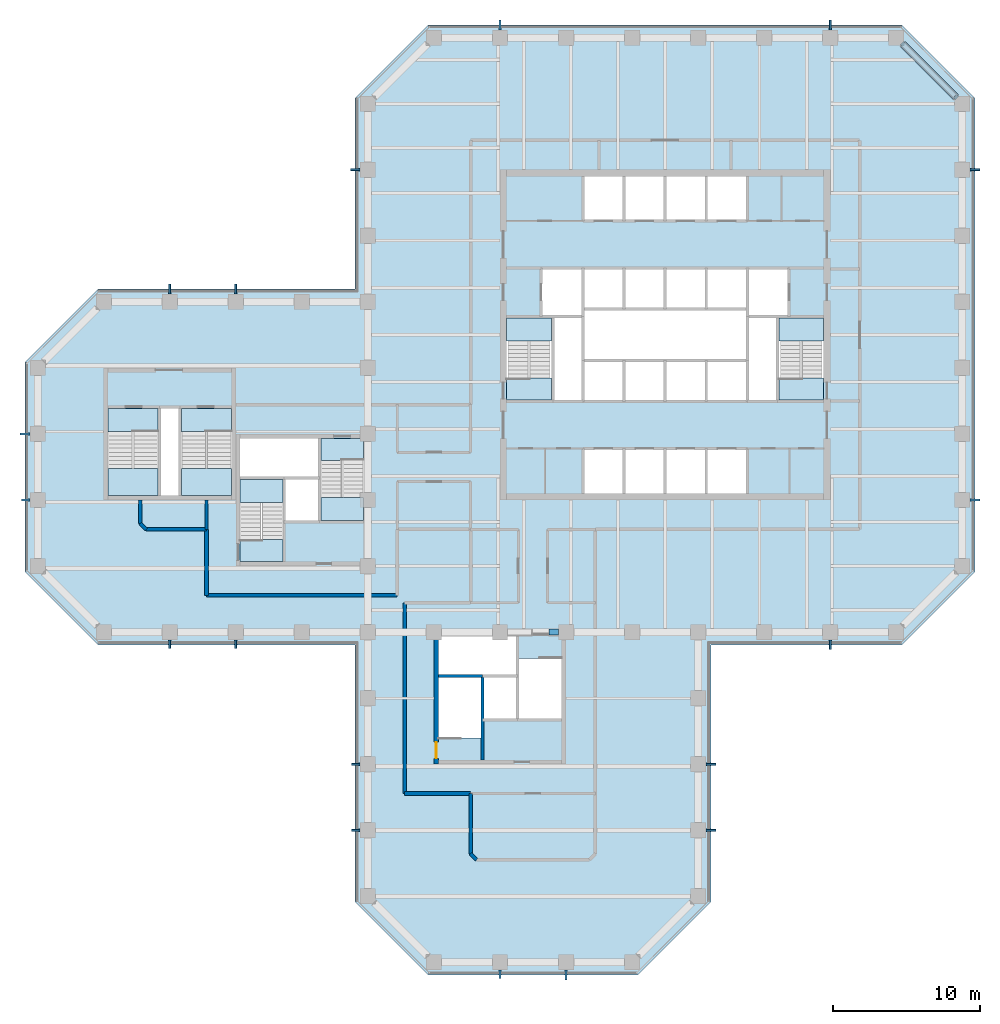
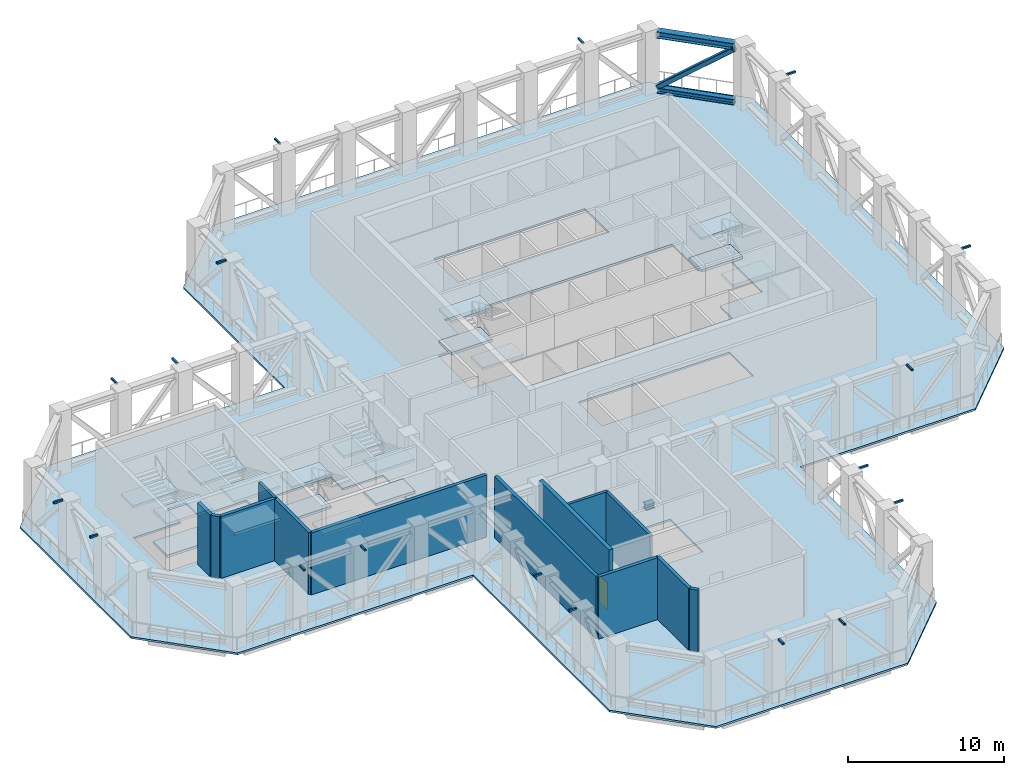
# One storey, part 4 of 14: 19 slabs, 18 beams, 13 walls, 4 members, 1 door, 1 opening, 6 elements without a shape of their own.
"""IFC4 building model written with IfcOpenShell, lengths in metres."""

import ifcopenshell
import ifcopenshell.guid

model = None  # the IFC model being written
_history = None  # IfcOwnerHistory: only IFC2X3 demands one
_inside = {}  # id of a spatial element -> (the spatial element, [elements in it])
_under = {}  # id of a project, library or spatial element -> (it, [spatial elements below it])
_declared = {}  # id of a project -> (the project, [libraries it declares])
_typed = {}  # id of a type object -> (the type object, [elements of that type])
_made_of = {}  # id of a material, layer set ... -> (it, [elements and type objects made of it])


def new_model(schema):
    """Start an empty IFC model of exactly this schema.

    Asked for "IFC4X3", IfcOpenShell would pick the latest addendum, in which some entities
    have other attributes; the version numbers below select the first issue.
    IFC2X3 requires an IfcOwnerHistory on every rooted entity: one is made here for all.
    """
    global model, _history
    if schema == "IFC4X3":
        model = ifcopenshell.file(schema_version=(4, 3, 0, 0))
    else:
        model = ifcopenshell.file(schema=schema)
    _inside.clear()
    _under.clear()
    _declared.clear()
    _typed.clear()
    _made_of.clear()
    _history = None
    if model.schema == "IFC2X3":
        org = make("IfcOrganization", Name="unknown")
        user = make(
            "IfcPersonAndOrganization",
            ThePerson=make("IfcPerson", FamilyName="unknown"),
            TheOrganization=org,
        )
        app = make(
            "IfcApplication",
            ApplicationDeveloper=org,
            Version="unknown",
            ApplicationFullName="unknown",
            ApplicationIdentifier="unknown",
        )
        _history = make(
            "IfcOwnerHistory",
            OwningUser=user,
            OwningApplication=app,
            ChangeAction="ADDED",
            CreationDate=0,
        )
    return model


def make(cls, **values):
    """One entity of the class cls with the attributes given. An attribute that is None is left unset."""
    return model.create_entity(
        cls, **{name: value for name, value in values.items() if value is not None}
    )


def rooted(cls, **values):
    """An entity with a GlobalId (a new one), such as an element, a storey or a relation."""
    return make(cls, GlobalId=ifcopenshell.guid.new(), OwnerHistory=_history, **values)


def si_unit(unit_type, name, prefix=None):
    """IfcSIUnit, for example si_unit("LENGTHUNIT", "METRE", prefix="MILLI")."""
    return make("IfcSIUnit", UnitType=unit_type, Prefix=prefix, Name=name)


def assignment(units):
    """IfcUnitAssignment: the units of a project."""
    return None if units is None else make("IfcUnitAssignment", Units=units)


def point(xyz):
    """IfcCartesianPoint."""
    return None if xyz is None else make("IfcCartesianPoint", Coordinates=xyz)


def direction(xyz):
    """IfcDirection."""
    return None if xyz is None else make("IfcDirection", DirectionRatios=xyz)


def frame(location, z_axis=None, x_axis=None):
    """IfcAxis2Placement3D, a coordinate frame: its origin and axes. An axis left out is left unset."""
    return make(
        "IfcAxis2Placement3D",
        Location=point(location),
        Axis=direction(z_axis),
        RefDirection=direction(x_axis),
    )


def frame_2d(location, x_axis=None):
    """IfcAxis2Placement2D, a coordinate frame in the plane: its origin and x axis."""
    return make(
        "IfcAxis2Placement2D", Location=point(location), RefDirection=direction(x_axis)
    )


def origin():
    """The frame at (0, 0, 0) with its axes left unset."""
    return frame((0.0, 0.0, 0.0))


def origin_2d():
    """The frame at (0, 0) in the plane with its x axis left unset."""
    return frame_2d((0.0, 0.0))


def place(relative_to, where):
    """IfcLocalPlacement: puts the frame where relative to a parent placement (None: the world)."""
    return make(
        "IfcLocalPlacement", PlacementRelTo=relative_to, RelativePlacement=where
    )


def context(
    kind, dimensions, precision=None, world=None, true_north=None, identifier=None
):
    """IfcGeometricRepresentationContext, for example the 3D "Model" context."""
    return make(
        "IfcGeometricRepresentationContext",
        ContextIdentifier=identifier,
        ContextType=kind,
        CoordinateSpaceDimension=dimensions,
        Precision=precision,
        WorldCoordinateSystem=world,
        TrueNorth=true_north,
    )


def subcontext(parent, identifier, kind, view, scale=None):
    """IfcGeometricRepresentationSubContext, for example "Body" below "Model"."""
    return make(
        "IfcGeometricRepresentationSubContext",
        ContextIdentifier=identifier,
        ContextType=kind,
        ParentContext=parent,
        TargetScale=scale,
        TargetView=view,
    )


def project(units=None, contexts=None):
    """IfcProject with its units and contexts."""
    return rooted(
        "IfcProject",
        Name="project",
        RepresentationContexts=contexts,
        UnitsInContext=assignment(units),
    )


def spatial(cls, under=None, at=None, **own):
    """A site, building, storey or space (cls), placed at a placement, below another one or the project."""
    s = rooted(cls, ObjectPlacement=at, **own)
    if under is not None:
        _under.setdefault(under.id(), (under, []))[1].append(s)
    return s


def polyline(points):
    """IfcPolyline through the points."""
    return make("IfcPolyline", Points=[point(p) for p in points])


def profile(cls, at=None, kind="AREA", **sizes):
    """A parametric profile (cls). Its sizes go by their IFC names, for example OverallWidth=200.0."""
    return make(cls, ProfileType=kind, Position=at, **sizes)


def rectangle(**sizes):
    """IfcRectangleProfileDef."""
    return profile("IfcRectangleProfileDef", **sizes)


def hollow_rectangle(**sizes):
    """IfcRectangleHollowProfileDef."""
    return profile("IfcRectangleHollowProfileDef", **sizes)


def i_section(**sizes):
    """IfcIShapeProfileDef."""
    return profile("IfcIShapeProfileDef", **sizes)


def outline(outer, holes=None, kind="AREA"):
    """IfcArbitraryClosedProfileDef: a profile drawn as a closed curve; with holes, ...WithVoids."""
    if holes is None:
        return make("IfcArbitraryClosedProfileDef", ProfileType=kind, OuterCurve=outer)
    return make(
        "IfcArbitraryProfileDefWithVoids",
        ProfileType=kind,
        OuterCurve=outer,
        InnerCurves=holes,
    )


def extrude(swept, where, along, depth):
    """IfcExtrudedAreaSolid: the profile swept, set in the frame where, extruded along a direction by depth."""
    return make(
        "IfcExtrudedAreaSolid",
        SweptArea=swept,
        Position=where,
        ExtrudedDirection=direction(along),
        Depth=depth,
    )


def shape(context_of_items, identifier, shape_type, items):
    """IfcShapeRepresentation: the items that make up one representation, for example the "Body"."""
    return make(
        "IfcShapeRepresentation",
        ContextOfItems=context_of_items,
        RepresentationIdentifier=identifier,
        RepresentationType=shape_type,
        Items=items,
    )


def material(Name=None, Category=None):
    """IfcMaterial."""
    return make("IfcMaterial", Name=Name, Category=Category)


def layer(
    of_material, thickness, ventilated=None, Name=None, Category=None, Priority=None
):
    """IfcMaterialLayer: one layer of a wall or slab, of a material (None: an air gap)."""
    return make(
        "IfcMaterialLayer",
        Material=of_material,
        LayerThickness=thickness,
        IsVentilated=ventilated,
        Name=Name,
        Category=Category,
        Priority=Priority,
    )


def layer_set(layers, Name=None):
    """IfcMaterialLayerSet."""
    return make("IfcMaterialLayerSet", MaterialLayers=layers, LayerSetName=Name)


def material_profile(
    of_material, cross_section, Name=None, Category=None, Priority=None
):
    """IfcMaterialProfile: a cross section and its material."""
    return make(
        "IfcMaterialProfile",
        Name=Name,
        Material=of_material,
        Profile=cross_section,
        Priority=Priority,
        Category=Category,
    )


def profile_set(profiles, Name=None, composite=None):
    """IfcMaterialProfileSet."""
    return make(
        "IfcMaterialProfileSet",
        Name=Name,
        MaterialProfiles=profiles,
        CompositeProfile=composite,
    )


def made_of(thing, what):
    """Note that an element or type object is made of a material, layer set ...; save() writes the relation."""
    if what is not None:
        _made_of.setdefault(what.id(), (what, []))[1].append(thing)
    return thing


def type_object(cls, material=None, **own):
    """A type object (cls), such as IfcWallType, which elements share."""
    return made_of(rooted(cls, **own), material)


def element(
    cls,
    number,
    at=None,
    inside=None,
    cuts=None,
    type_object=None,
    material=None,
    context=None,
    identifier="Body",
    shape_type=None,
    held_by="IfcProductDefinitionShape",
    body=None,
    shapes=None,
    **own,
):
    """One element of the class cls, such as IfcWall. Its Tag is "e" and its number.

    at: its placement. inside: the storey or other place that contains it. cuts: it is an
    opening in that element (IfcRelVoidsElement). A single representation is given by context,
    identifier, shape_type and body (its items); several are given by shapes. held_by: the class
    of the entity that holds the representations. save() writes the other relations.
    """
    e = rooted(cls, Tag="e%d" % number, ObjectPlacement=at, **own)
    if body is not None:
        shapes = [shape(context, identifier, shape_type, body)]
    if shapes is not None:
        e.Representation = make(held_by, Representations=shapes)
    if inside is not None:
        _inside.setdefault(inside.id(), (inside, []))[1].append(e)
    if cuts is not None:
        rooted(
            "IfcRelVoidsElement", RelatingBuildingElement=cuts, RelatedOpeningElement=e
        )
    if type_object is not None:
        _typed.setdefault(type_object.id(), (type_object, []))[1].append(e)
    return made_of(e, material)


def fill(opening, filler):
    """IfcRelFillsElement: the door or window that sits in an opening."""
    return rooted(
        "IfcRelFillsElement",
        RelatingOpeningElement=opening,
        RelatedBuildingElement=filler,
    )


def aggregate(whole, parts):
    """IfcRelAggregates: a whole, such as a stair, and the parts it consists of."""
    return rooted("IfcRelAggregates", RelatingObject=whole, RelatedObjects=parts)


def save(model, path):
    """Write the relations noted so far, then the file.

    IfcRelAggregates (storeys below a building ...), IfcRelContainedInSpatialStructure (elements
    in a storey), IfcRelDefinesByType, IfcRelAssociatesMaterial and IfcRelDeclares: one each for
    every whole, place, type object, material and project.
    """
    for whole, parts in _under.values():
        aggregate(whole, parts)
    for where, things in _inside.values():
        rooted(
            "IfcRelContainedInSpatialStructure",
            RelatedElements=things,
            RelatingStructure=where,
        )
    for kind, things in _typed.values():
        rooted("IfcRelDefinesByType", RelatedObjects=things, RelatingType=kind)
    for what, things in _made_of.values():
        rooted("IfcRelAssociatesMaterial", RelatedObjects=things, RelatingMaterial=what)
    for by, libraries in _declared.values():
        rooted("IfcRelDeclares", RelatingContext=by, RelatedDefinitions=libraries)
    model.write(path)


model = new_model("IFC4")

# Units and contexts
model_context = context("Model", 3, precision=1e-05, world=origin(), true_north=direction((0.0, 1.0)))
body_context = subcontext(model_context, "Body", "Model", "MODEL_VIEW")
ifc_project = project(units=[si_unit("LENGTHUNIT", "METRE"), si_unit("AREAUNIT", "SQUARE_METRE"), si_unit("VOLUMEUNIT", "CUBIC_METRE"), si_unit("PLANEANGLEUNIT", "RADIAN"), si_unit("MASSUNIT", "GRAM", prefix="KILO")], contexts=[model_context])

# Site, building, storey
site_placement = place(None, origin())
site = spatial("IfcSite", under=ifc_project, at=site_placement, CompositionType="ELEMENT")
building_placement = place(site_placement, origin())
building = spatial("IfcBuilding", under=site, at=building_placement, Name="Quoin Convention Tower", CompositionType="ELEMENT")
storey_placement = place(building_placement, frame((0.0, 0.0, 138.10009765625)))
storey = spatial("IfcBuildingStorey", under=building, at=storey_placement, Name="L36", CompositionType="ELEMENT", Elevation=138.10009765625)

# Beams
ifc_material_1 = material(Name="Steel C450L0", Category="steel")
ifc_material_profile_1 = material_profile(ifc_material_1, hollow_rectangle(XDim=0.14990234375, YDim=0.14990234375, WallThickness=0.008056640625, InnerFilletRadius=0.011962890625, OuterFilletRadius=0.02001953125, at=origin_2d()), Name="150x150x8.0SHS")
ifc_profile_set_1 = profile_set([ifc_material_profile_1], Name="Steel C450L0")
beam_type = type_object("IfcBeamType", Name="150x150x8.0SHS", PredefinedType="BEAM", material=ifc_profile_set_1)
beam_1_placement = place(storey_placement, frame((12.97509765625, 54.0, 4.9248046875), z_axis=(-1.0, 0.0, 0.0), x_axis=(0.0, -1.0, 0.0)))
element("IfcBeam", 1, at=beam_1_placement, inside=storey, type_object=beam_type, Name="brk-hi-L33-13500_58500-13500_54000", PredefinedType="BEAM", context=body_context, shape_type="SweptSolid", body=[
    extrude(hollow_rectangle(XDim=0.14990234375, YDim=0.14990234375, WallThickness=0.008056640625, InnerFilletRadius=0.011962890625, OuterFilletRadius=0.02001953125, at=origin_2d()), origin(), (0.0, 0.0, 1.0), 0.675048828125),
])
for number, where, z_axis, x_axis, name in (
    (2, (12.97509765625, 49.5, 4.9248046875), (-1.0, 0.0, 0.0), (0.0, -1.0, 0.0), "brk-hi-L33-13500_49500-13500_45000"),
    (3, (22.5, 39.97509765625, 4.9248046875), (0.0, -1.0, 0.0), (1.0, 0.0, 0.0), "brk-hi-L33-18000_40500-22500_40500"),
    (4, (27.0, 39.97509765625, 4.9248046875), (0.0, -1.0, 0.0), (1.0, 0.0, 0.0), "brk-hi-L33-27000_40500-31500_40500"),
    (5, (35.47509765625, 31.5, 4.9248046875), (-1.0, 0.0, 0.0), (0.0, -1.0, 0.0), "brk-hi-L33-36000_36000-36000_31500"),
    (6, (35.47509765625, 27.0, 4.9248046875), (-1.0, 0.0, 0.0), (0.0, -1.0, 0.0), "brk-hi-L33-36000_27000-36000_22500"),
):
    element("IfcBeam", number, at=place(storey_placement, frame(where, z_axis=z_axis, x_axis=x_axis)), inside=storey, type_object=beam_type, Name=name, PredefinedType="BEAM", context=body_context, shape_type="SweptSolid", body=[
        extrude(hollow_rectangle(XDim=0.14990234375, YDim=0.14990234375, WallThickness=0.008056640625, InnerFilletRadius=0.011962890625, OuterFilletRadius=0.02001953125, at=origin_2d()), origin(), (0.0, 0.0, 1.0), 0.5751953125),
    ])
for number, where, z_axis, x_axis, name in (
    (7, (27.0, 63.52490234375, 4.9248046875), (0.0, 1.0, 0.0), (-1.0, 0.0, 0.0), "brk-hi-L33-31500_63000-27000_63000"),
    (8, (22.5, 63.52490234375, 4.9248046875), (0.0, 1.0, 0.0), (-1.0, 0.0, 0.0), "brk-hi-L33-22500_63000-18000_63000"),
    (9, (35.47509765625, 72.0, 4.9248046875), (-1.0, 0.0, 0.0), (0.0, -1.0, 0.0), "brk-hi-L33-36000_76500-36000_72000"),
):
    element("IfcBeam", number, at=place(storey_placement, frame(where, z_axis=z_axis, x_axis=x_axis)), inside=storey, type_object=beam_type, Name=name, PredefinedType="BEAM", context=body_context, shape_type="SweptSolid", body=[
        extrude(hollow_rectangle(XDim=0.14990234375, YDim=0.14990234375, WallThickness=0.008056640625, InnerFilletRadius=0.011962890625, OuterFilletRadius=0.02001953125, at=origin_2d()), origin(), (0.0, 0.0, 1.0), 0.675048828125),
    ])
beam_2_placement = place(storey_placement, frame((45.0, 17.47509765625, 4.9248046875), z_axis=(0.0, -1.0, 0.0), x_axis=(1.0, 0.0, 0.0)))
element("IfcBeam", 10, at=beam_2_placement, inside=storey, type_object=beam_type, Name="brk-hi-L33-40500_18000-45000_18000", PredefinedType="BEAM", context=body_context, shape_type="SweptSolid", body=[
    extrude(hollow_rectangle(XDim=0.14990234375, YDim=0.14990234375, WallThickness=0.008056640625, InnerFilletRadius=0.011962890625, OuterFilletRadius=0.02001953125, at=origin_2d()), origin(), (0.0, 0.0, 1.0), 0.5751953125),
])
for number, where, z_axis, x_axis, name in (
    (11, (49.5, 17.47509765625, 4.9248046875), (0.0, -1.0, 0.0), (1.0, 0.0, 0.0), "brk-hi-L33-49500_18000-54000_18000"),
    (12, (59.02490234375, 27.0, 4.9248046875), (1.0, 0.0, 0.0), (0.0, 1.0, 0.0), "brk-hi-L33-58500_22500-58500_27000"),
    (13, (59.02490234375, 31.5, 4.9248046875), (1.0, 0.0, 0.0), (0.0, 1.0, 0.0), "brk-hi-L33-58500_31500-58500_36000"),
    (14, (67.5, 39.97509765625, 4.9248046875), (0.0, -1.0, 0.0), (1.0, 0.0, 0.0), "brk-hi-L33-63000_40500-67500_40500"),
    (15, (67.5, 81.52490234375, 4.9248046875), (0.0, 1.0, 0.0), (-1.0, 0.0, 0.0), "brk-hi-L33-72000_81000-67500_81000"),
    (16, (45.0, 81.52490234375, 4.9248046875), (0.0, 1.0, 0.0), (-1.0, 0.0, 0.0), "brk-hi-L33-45000_81000-40500_81000"),
    (17, (77.02490234375, 49.5, 4.9248046875), (1.0, 0.0, 0.0), (0.0, 1.0, 0.0), "brk-hi-L33-76500_45000-76500_49500"),
    (18, (77.02490234375, 72.0, 4.9248046875), (1.0, 0.0, 0.0), (0.0, 1.0, 0.0), "brk-hi-L33-76500_72000-76500_76500"),
):
    element("IfcBeam", number, at=place(storey_placement, frame(where, z_axis=z_axis, x_axis=x_axis)), inside=storey, type_object=beam_type, Name=name, PredefinedType="BEAM", context=body_context, shape_type="SweptSolid", body=[
        extrude(hollow_rectangle(XDim=0.14990234375, YDim=0.14990234375, WallThickness=0.008056640625, InnerFilletRadius=0.011962890625, OuterFilletRadius=0.02001953125, at=origin_2d()), origin(), (0.0, 0.0, 1.0), 0.675048828125),
    ])

# Members
ifc_material_profile_2 = material_profile(ifc_material_1, hollow_rectangle(XDim=0.35009765625, YDim=0.35009765625, WallThickness=0.01611328125, InnerFilletRadius=0.02392578125, OuterFilletRadius=0.0400390625, at=origin_2d()), Name="350x350x16.0SHS")
ifc_profile_set_2 = profile_set([ifc_material_profile_2], Name="Steel C450L0")
member_type_1 = type_object("IfcMemberType", Name="350x350x16.0SHS", PredefinedType="BRACE", material=ifc_profile_set_2)
member_1_placement = place(storey_placement, frame((72.440185546875, 80.559814453125, 0.421875), z_axis=(0.561717629009, -0.561717629009, 0.607409755043), x_axis=(0.707106781187, 0.707106781187, 0.0)))
element("IfcMember", 19, at=member_1_placement, inside=storey, type_object=member_type_1, Name="Belt truss L36 diagonal 76500_76500-72000_81000", PredefinedType="BRACE", context=body_context, shape_type="SweptSolid", body=[
    extrude(hollow_rectangle(XDim=0.35009765625, YDim=0.35009765625, WallThickness=0.01611328125, InnerFilletRadius=0.02392578125, OuterFilletRadius=0.0400390625, at=origin_2d()), origin(), (0.0, 0.0, 1.0), 6.44384765625),
])
ifc_material_2 = material(Name="Steel Grade 300", Category="steel")
ifc_material_profile_3 = material_profile(ifc_material_2, i_section(OverallWidth=0.39990234375, OverallDepth=0.422119140625, WebThickness=0.028076171875, FlangeThickness=0.035888671875, at=origin_2d()), Name="400WC303")
ifc_profile_set_3 = profile_set([ifc_material_profile_3], Name="Steel Grade 300")
member_type_2 = type_object("IfcMemberType", Name="400WC303", PredefinedType="CHORD", material=ifc_profile_set_3)
member_2_placement = place(storey_placement, frame((76.059814453125, 76.940185546875, 0.2109375), z_axis=(-0.707106781187, 0.707106781187, 0.0), x_axis=(-0.707106781187, -0.707106781187, 0.0)))
element("IfcMember", 20, at=member_2_placement, inside=storey, type_object=member_type_2, Name="Belt truss L36 bottom chord 76500_76500-72000_81000", PredefinedType="CHORD", context=body_context, shape_type="SweptSolid", body=[
    extrude(i_section(OverallWidth=0.39990234375, OverallDepth=0.422119140625, WebThickness=0.028076171875, FlangeThickness=0.035888671875, at=origin_2d()), origin(), (0.0, 0.0, 1.0), 5.118896484375),
])
member_3_placement = place(storey_placement, frame((48.35009765625, 40.5, 0.2109375), z_axis=(1.0, 0.0, 0.0), x_axis=(0.0, 1.0, 0.0)))
element("IfcMember", 21, at=member_3_placement, inside=storey, type_object=member_type_2, Name="Belt truss L36 bottom chord 45000_40500-49500_40500", PredefinedType="CHORD", context=body_context, shape_type="SweptSolid", body=[
    extrude(i_section(OverallWidth=0.39990234375, OverallDepth=0.422119140625, WebThickness=0.028076171875, FlangeThickness=0.035888671875, at=origin_2d()), origin(), (0.0, 0.0, 1.0), 0.625),
])
ifc_material_profile_4 = material_profile(ifc_material_2, i_section(OverallWidth=0.5, OverallDepth=0.513916015625, WebThickness=0.02490234375, FlangeThickness=0.031982421875, at=origin_2d()), Name="500WC340")
ifc_profile_set_4 = profile_set([ifc_material_profile_4], Name="Steel Grade 300")
member_type_3 = type_object("IfcMemberType", Name="500WC340", PredefinedType="CHORD", material=ifc_profile_set_4)
member_4_placement = place(storey_placement, frame((76.059814453125, 76.940185546875, 4.593017578125), z_axis=(-0.707106781187, 0.707106781187, 0.0), x_axis=(-0.707106781187, -0.707106781187, 0.0)))
element("IfcMember", 22, at=member_4_placement, inside=storey, type_object=member_type_3, Name="Belt truss L36 top chord 76500_76500-72000_81000", PredefinedType="CHORD", context=body_context, shape_type="SweptSolid", body=[
    extrude(i_section(OverallWidth=0.5, OverallDepth=0.513916015625, WebThickness=0.02490234375, FlangeThickness=0.031982421875, at=origin_2d()), origin(), (0.0, 0.0, 1.0), 5.118896484375),
])

# Slab
ifc_material_3 = material(Name="Concrete C40", Category="concrete")
ifc_layer_1 = layer(ifc_material_3, 0.14990234375)
ifc_layer_set_1 = layer_set([ifc_layer_1], Name="Concrete C40")
slab_type_1 = type_object("IfcSlabType", Name="COMPOSITE SLAB 150 C40", PredefinedType="FLOOR", material=ifc_layer_set_1)
slab_1_placement = place(storey_placement, frame((0.0, 0.0, -0.150146484375)))
element("IfcSlab", 23, at=slab_1_placement, inside=storey, type_object=slab_type_1, Name="slb-L36", PredefinedType="FLOOR", context=body_context, shape_type="SweptSolid", body=[
    extrude(outline(polyline([(59.375, 22.1376953125), (54.3623046875, 17.125), (40.1376953125, 17.125), (35.125, 22.1376953125), (35.125, 39.625), (17.6376953125, 39.625), (12.625, 44.6376953125), (12.625, 58.8623046875), (17.6376953125, 63.875), (35.125, 63.875), (35.125, 76.8623046875), (40.1376953125, 81.875), (72.3623046875, 81.875), (77.375, 76.8623046875), (77.375, 44.6376953125), (72.3623046875, 39.625), (59.375, 39.625), (59.375, 22.1376953125)]), holes=[polyline([(40.800048828125, 40.199951171875), (40.800048828125, 37.5), (40.800048828125, 33.300537109375), (43.800048828125, 33.300537109375), (43.800048828125, 34.5), (46.199951171875, 34.5), (49.199951171875, 34.5), (49.199951171875, 38.699462890625), (46.199951171875, 38.699462890625), (46.199951171875, 40.199951171875), (40.800048828125, 40.199951171875)]), polyline([(35.699951171875, 52.199462890625), (32.699951171875, 52.199462890625), (32.699951171875, 53.699951171875), (27.300048828125, 53.699951171875), (27.300048828125, 51.0), (27.300048828125, 46.800537109375), (30.300048828125, 46.800537109375), (30.300048828125, 48.0), (32.699951171875, 48.0), (35.699951171875, 48.0), (35.699951171875, 52.199462890625)]), polyline([(53.449951171875, 49.949951171875), (56.25, 49.949951171875), (59.050048828125, 49.949951171875), (61.85009765625, 49.949951171875), (61.85009765625, 53.0), (59.050048828125, 53.0), (56.25, 53.0), (53.449951171875, 53.0), (50.64990234375, 53.0), (50.64990234375, 49.949951171875), (53.449951171875, 49.949951171875)]), polyline([(21.800048828125, 55.85009765625), (21.800048828125, 54.1494140625), (18.300048828125, 54.1494140625), (18.300048828125, 49.800048828125), (21.800048828125, 49.800048828125), (23.199951171875, 49.800048828125), (26.699951171875, 49.800048828125), (26.699951171875, 54.1494140625), (23.199951171875, 54.1494140625), (23.199951171875, 55.85009765625), (21.800048828125, 55.85009765625)]), polyline([(48.60009765625, 57.800537109375), (48.60009765625, 56.199951171875), (50.64990234375, 56.199951171875), (53.449951171875, 56.199951171875), (56.25, 56.199951171875), (59.050048828125, 56.199951171875), (61.85009765625, 56.199951171875), (63.89990234375, 56.199951171875), (63.89990234375, 57.800537109375), (67.050048828125, 57.800537109375), (67.050048828125, 62.0), (64.699951171875, 62.0), (64.699951171875, 65.300048828125), (61.85009765625, 65.300048828125), (59.050048828125, 65.300048828125), (56.25, 65.300048828125), (53.449951171875, 65.300048828125), (50.64990234375, 65.300048828125), (47.800048828125, 65.300048828125), (47.800048828125, 62.0), (45.449951171875, 62.0), (45.449951171875, 57.800537109375), (48.60009765625, 57.800537109375)]), polyline([(50.64990234375, 68.5), (53.449951171875, 68.5), (56.25, 68.5), (59.050048828125, 68.5), (61.85009765625, 68.5), (61.85009765625, 71.550048828125), (59.050048828125, 71.550048828125), (56.25, 71.550048828125), (53.449951171875, 71.550048828125), (50.64990234375, 71.550048828125), (50.64990234375, 68.5)])]), origin(), (0.0, 0.0, 1.0), 0.150146484375),
])

# Stair, slabs
stair_type_1 = type_object("IfcStairType", Name="Exit stair four-flight 1350", PredefinedType="DOUBLE_RETURN_STAIR", material=ifc_material_3)
stair_1_placement = place(storey_placement, origin())
stair_1 = element("IfcStair", 24, at=stair_1_placement, inside=storey, type_object=stair_type_1, Name="SD1 L36", PredefinedType="DOUBLE_RETURN_STAIR")
ifc_layer_2 = layer(ifc_material_3, 0.199951171875)
ifc_layer_set_2 = layer_set([ifc_layer_2], Name="Concrete C40")
slab_type_2 = type_object("IfcSlabType", Name="Stair landing 200", PredefinedType="LANDING", material=ifc_layer_set_2)
slab_2_placement = place(storey_placement, frame((0.0, 0.0, 1.0498046875)))
slab_2 = element("IfcSlab", 25, at=slab_2_placement, type_object=slab_type_2, Name="ST1 landing 1", PredefinedType="LANDING", context=body_context, shape_type="SweptSolid", body=[
    extrude(outline(polyline([(45.449951171875, 60.320068359375), (48.5, 60.320068359375), (48.5, 61.89990234375), (45.449951171875, 61.89990234375), (45.449951171875, 60.320068359375)])), origin(), (0.0, 0.0, 1.0), 0.2001953125),
])
slab_3_placement = place(storey_placement, frame((0.0, 0.0, 2.2998046875)))
slab_3 = element("IfcSlab", 26, at=slab_3_placement, type_object=slab_type_2, Name="ST1 landing 2", PredefinedType="LANDING", context=body_context, shape_type="SweptSolid", body=[
    extrude(outline(polyline([(45.449951171875, 56.300048828125), (48.5, 56.300048828125), (48.5, 57.800048828125), (45.449951171875, 57.800048828125), (45.449951171875, 56.300048828125)])), origin(), (0.0, 0.0, 1.0), 0.2001953125),
])
slab_4_placement = place(storey_placement, frame((0.0, 0.0, 3.5498046875)))
slab_4 = element("IfcSlab", 27, at=slab_4_placement, type_object=slab_type_2, Name="ST1 landing 3", PredefinedType="LANDING", context=body_context, shape_type="SweptSolid", body=[
    extrude(outline(polyline([(45.449951171875, 60.320068359375), (48.5, 60.320068359375), (48.5, 61.89990234375), (45.449951171875, 61.89990234375), (45.449951171875, 60.320068359375)])), origin(), (0.0, 0.0, 1.0), 0.2001953125),
])
aggregate(stair_1, [slab_2, slab_3, slab_4])

stair_2_placement = place(storey_placement, origin())
stair_2 = element("IfcStair", 28, at=stair_2_placement, inside=storey, type_object=stair_type_1, Name="SD2 L36", PredefinedType="DOUBLE_RETURN_STAIR")
slab_5_placement = place(storey_placement, frame((0.0, 0.0, 1.0498046875)))
slab_5 = element("IfcSlab", 29, at=slab_5_placement, type_object=slab_type_2, Name="ST2 landing 1", PredefinedType="LANDING", context=body_context, shape_type="SweptSolid", body=[
    extrude(outline(polyline([(64.0, 60.320068359375), (67.050048828125, 60.320068359375), (67.050048828125, 61.89990234375), (64.0, 61.89990234375), (64.0, 60.320068359375)])), origin(), (0.0, 0.0, 1.0), 0.2001953125),
])
slab_6_placement = place(storey_placement, frame((0.0, 0.0, 2.2998046875)))
slab_6 = element("IfcSlab", 30, at=slab_6_placement, type_object=slab_type_2, Name="ST2 landing 2", PredefinedType="LANDING", context=body_context, shape_type="SweptSolid", body=[
    extrude(outline(polyline([(64.0, 56.300048828125), (67.050048828125, 56.300048828125), (67.050048828125, 57.800048828125), (64.0, 57.800048828125), (64.0, 56.300048828125)])), origin(), (0.0, 0.0, 1.0), 0.2001953125),
])
slab_7_placement = place(storey_placement, frame((0.0, 0.0, 3.5498046875)))
slab_7 = element("IfcSlab", 31, at=slab_7_placement, type_object=slab_type_2, Name="ST2 landing 3", PredefinedType="LANDING", context=body_context, shape_type="SweptSolid", body=[
    extrude(outline(polyline([(64.0, 60.320068359375), (67.050048828125, 60.320068359375), (67.050048828125, 61.89990234375), (64.0, 61.89990234375), (64.0, 60.320068359375)])), origin(), (0.0, 0.0, 1.0), 0.2001953125),
])
aggregate(stair_2, [slab_5, slab_6, slab_7])

stair_3_placement = place(storey_placement, origin())
stair_3 = element("IfcStair", 32, at=stair_3_placement, inside=storey, type_object=stair_type_1, Name="SD3 L36", PredefinedType="DOUBLE_RETURN_STAIR")
slab_8_placement = place(storey_placement, frame((0.0, 0.0, 1.0498046875)))
slab_8 = element("IfcSlab", 33, at=slab_8_placement, type_object=slab_type_2, Name="ST3 landing 1", PredefinedType="LANDING", context=body_context, shape_type="SweptSolid", body=[
    extrude(outline(polyline([(27.300048828125, 49.320068359375), (30.199951171875, 49.320068359375), (30.199951171875, 50.89990234375), (27.300048828125, 50.89990234375), (27.300048828125, 49.320068359375)])), origin(), (0.0, 0.0, 1.0), 0.2001953125),
])
slab_9_placement = place(storey_placement, frame((0.0, 0.0, 2.2998046875)))
slab_9 = element("IfcSlab", 34, at=slab_9_placement, type_object=slab_type_2, Name="ST3 landing 2", PredefinedType="LANDING", context=body_context, shape_type="SweptSolid", body=[
    extrude(outline(polyline([(27.300048828125, 45.300048828125), (30.199951171875, 45.300048828125), (30.199951171875, 46.800048828125), (27.300048828125, 46.800048828125), (27.300048828125, 45.300048828125)])), origin(), (0.0, 0.0, 1.0), 0.2001953125),
])
slab_10_placement = place(storey_placement, frame((0.0, 0.0, 3.5498046875)))
slab_10 = element("IfcSlab", 35, at=slab_10_placement, type_object=slab_type_2, Name="ST3 landing 3", PredefinedType="LANDING", context=body_context, shape_type="SweptSolid", body=[
    extrude(outline(polyline([(27.300048828125, 49.320068359375), (30.199951171875, 49.320068359375), (30.199951171875, 50.89990234375), (27.300048828125, 50.89990234375), (27.300048828125, 49.320068359375)])), origin(), (0.0, 0.0, 1.0), 0.2001953125),
])
aggregate(stair_3, [slab_8, slab_9, slab_10])

stair_4_placement = place(storey_placement, origin())
stair_4 = element("IfcStair", 36, at=stair_4_placement, inside=storey, type_object=stair_type_1, Name="SD4 L36", PredefinedType="DOUBLE_RETURN_STAIR")
slab_11_placement = place(storey_placement, frame((0.0, 0.0, 1.0498046875)))
slab_11 = element("IfcSlab", 37, at=slab_11_placement, type_object=slab_type_2, Name="ST4 landing 1", PredefinedType="LANDING", context=body_context, shape_type="SweptSolid", body=[
    extrude(outline(polyline([(35.699951171875, 49.679931640625), (32.800048828125, 49.679931640625), (32.800048828125, 48.10009765625), (35.699951171875, 48.10009765625), (35.699951171875, 49.679931640625)])), origin(), (0.0, 0.0, 1.0), 0.2001953125),
])
slab_12_placement = place(storey_placement, frame((0.0, 0.0, 2.2998046875)))
slab_12 = element("IfcSlab", 38, at=slab_12_placement, type_object=slab_type_2, Name="ST4 landing 2", PredefinedType="LANDING", context=body_context, shape_type="SweptSolid", body=[
    extrude(outline(polyline([(35.699951171875, 53.699951171875), (32.800048828125, 53.699951171875), (32.800048828125, 52.199951171875), (35.699951171875, 52.199951171875), (35.699951171875, 53.699951171875)])), origin(), (0.0, 0.0, 1.0), 0.2001953125),
])
slab_13_placement = place(storey_placement, frame((0.0, 0.0, 3.5498046875)))
slab_13 = element("IfcSlab", 39, at=slab_13_placement, type_object=slab_type_2, Name="ST4 landing 3", PredefinedType="LANDING", context=body_context, shape_type="SweptSolid", body=[
    extrude(outline(polyline([(35.699951171875, 49.679931640625), (32.800048828125, 49.679931640625), (32.800048828125, 48.10009765625), (35.699951171875, 48.10009765625), (35.699951171875, 49.679931640625)])), origin(), (0.0, 0.0, 1.0), 0.2001953125),
])
aggregate(stair_4, [slab_11, slab_12, slab_13])

stair_type_2 = type_object("IfcStairType", Name="Exit stair four-flight 1600", PredefinedType="DOUBLE_RETURN_STAIR", material=ifc_material_3)
stair_5_placement = place(storey_placement, origin())
stair_5 = element("IfcStair", 40, at=stair_5_placement, inside=storey, type_object=stair_type_2, Name="SD11 L36", PredefinedType="DOUBLE_RETURN_STAIR")
slab_14_placement = place(storey_placement, frame((0.0, 0.0, 1.0498046875)))
slab_14 = element("IfcSlab", 41, at=slab_14_placement, type_object=slab_type_2, Name="ST11 landing 1", PredefinedType="LANDING", context=body_context, shape_type="SweptSolid", body=[
    extrude(outline(polyline([(21.699951171875, 51.6298828125), (18.300048828125, 51.6298828125), (18.300048828125, 49.800048828125), (21.699951171875, 49.800048828125), (21.699951171875, 51.6298828125)])), origin(), (0.0, 0.0, 1.0), 0.2001953125),
])
slab_15_placement = place(storey_placement, frame((0.0, 0.0, 2.2998046875)))
slab_15 = element("IfcSlab", 42, at=slab_15_placement, type_object=slab_type_2, Name="ST11 landing 2", PredefinedType="LANDING", context=body_context, shape_type="SweptSolid", body=[
    extrude(outline(polyline([(21.699951171875, 55.75), (18.300048828125, 55.75), (18.300048828125, 54.14990234375), (21.699951171875, 54.14990234375), (21.699951171875, 55.75)])), origin(), (0.0, 0.0, 1.0), 0.2001953125),
])
slab_16_placement = place(storey_placement, frame((0.0, 0.0, 3.5498046875)))
slab_16 = element("IfcSlab", 43, at=slab_16_placement, type_object=slab_type_2, Name="ST11 landing 3", PredefinedType="LANDING", context=body_context, shape_type="SweptSolid", body=[
    extrude(outline(polyline([(21.699951171875, 51.6298828125), (18.300048828125, 51.6298828125), (18.300048828125, 49.800048828125), (21.699951171875, 49.800048828125), (21.699951171875, 51.6298828125)])), origin(), (0.0, 0.0, 1.0), 0.2001953125),
])
aggregate(stair_5, [slab_14, slab_15, slab_16])

stair_6_placement = place(storey_placement, origin())
stair_6 = element("IfcStair", 44, at=stair_6_placement, inside=storey, type_object=stair_type_2, Name="SD12 L36", PredefinedType="DOUBLE_RETURN_STAIR")
slab_17_placement = place(storey_placement, frame((0.0, 0.0, 1.0498046875)))
slab_17 = element("IfcSlab", 45, at=slab_17_placement, type_object=slab_type_2, Name="ST12 landing 1", PredefinedType="LANDING", context=body_context, shape_type="SweptSolid", body=[
    extrude(outline(polyline([(26.699951171875, 51.6298828125), (23.300048828125, 51.6298828125), (23.300048828125, 49.800048828125), (26.699951171875, 49.800048828125), (26.699951171875, 51.6298828125)])), origin(), (0.0, 0.0, 1.0), 0.2001953125),
])
slab_18_placement = place(storey_placement, frame((0.0, 0.0, 2.2998046875)))
slab_18 = element("IfcSlab", 46, at=slab_18_placement, type_object=slab_type_2, Name="ST12 landing 2", PredefinedType="LANDING", context=body_context, shape_type="SweptSolid", body=[
    extrude(outline(polyline([(26.699951171875, 55.75), (23.300048828125, 55.75), (23.300048828125, 54.14990234375), (26.699951171875, 54.14990234375), (26.699951171875, 55.75)])), origin(), (0.0, 0.0, 1.0), 0.2001953125),
])
slab_19_placement = place(storey_placement, frame((0.0, 0.0, 3.5498046875)))
slab_19 = element("IfcSlab", 47, at=slab_19_placement, type_object=slab_type_2, Name="ST12 landing 3", PredefinedType="LANDING", context=body_context, shape_type="SweptSolid", body=[
    extrude(outline(polyline([(26.699951171875, 51.6298828125), (23.300048828125, 51.6298828125), (23.300048828125, 49.800048828125), (26.699951171875, 49.800048828125), (26.699951171875, 51.6298828125)])), origin(), (0.0, 0.0, 1.0), 0.2001953125),
])
aggregate(stair_6, [slab_17, slab_18, slab_19])

# Walls
ifc_material_4 = material(Name="Concrete C50", Category="concrete")
ifc_layer_3 = layer(ifc_material_4, 0.199951171875)
ifc_layer_set_3 = layer_set([ifc_layer_3], Name="Concrete C50")
wall_type_1 = type_object("IfcWallType", Name="Core shaft wall", PredefinedType="SOLIDWALL", material=ifc_layer_set_3)
wall_1_placement = place(storey_placement, frame((40.800048828125, 37.5, 0.0), z_axis=(0.0, 0.0, 1.0), x_axis=(1.0, 0.0, 0.0)))
element("IfcWall", 48, at=wall_1_placement, inside=storey, type_object=wall_type_1, Name="cr-P3-L36-h6000_300", PredefinedType="SOLIDWALL", context=body_context, shape_type="SweptSolid", body=[
    extrude(rectangle(XDim=3.0, YDim=0.199951171875, at=frame_2d((1.5, 0.0))), origin(), (0.0, 0.0, 1.0), 4.849853515625),
])
wall_2_placement = place(storey_placement, frame((43.800048828125, 31.800048828125, 0.0), z_axis=(0.0, 0.0, 1.0), x_axis=(0.0, 1.0, 0.0)))
element("IfcWall", 49, at=wall_2_placement, inside=storey, type_object=wall_type_1, Name="cr-P3-L36-v3300_300", PredefinedType="SOLIDWALL", context=body_context, shape_type="SweptSolid", body=[
    extrude(rectangle(XDim=5.699951171875, YDim=0.199951171875, at=frame_2d((2.85009765625, 0.0))), origin(), (0.0, 0.0, 1.0), 4.849853515625),
])

# Wall, opening, door
ifc_material_5 = material(Name="Concrete C65", Category="concrete")
ifc_layer_4 = layer(ifc_material_5, 0.300048828125)
ifc_layer_set_4 = layer_set([ifc_layer_4], Name="Concrete C65")
wall_type_2 = type_object("IfcWallType", Name="RC CORE WALL 300 C65", PredefinedType="SHEAR", material=ifc_layer_set_4)
wall_3_placement = place(storey_placement, frame((40.64990234375, 31.5, 0.0), z_axis=(0.0, 0.0, 1.0), x_axis=(0.0, 1.0, 0.0)))
wall_3 = element("IfcWall", 50, at=wall_3_placement, inside=storey, type_object=wall_type_2, Name="cwl-P3-L36-W", PredefinedType="SHEAR", context=body_context, shape_type="SweptSolid", body=[
    extrude(rectangle(XDim=9.0, YDim=0.300048828125, at=frame_2d((4.5, 0.0))), origin(), (0.0, 0.0, 1.0), 5.0),
])
opening_placement = place(wall_3_placement, frame((0.39990234375, 0.0, 0.0)))
opening = element("IfcOpeningElement", 51, at=opening_placement, cuts=wall_3, Name="Opening SD5", PredefinedType="OPENING", context=body_context, shape_type="SweptSolid", body=[
    extrude(rectangle(XDim=1.10009765625, YDim=2.10009765625, at=frame_2d((0.550048828125, 1.050048828125))), frame((0.0, 0.159912109375, 0.0), z_axis=(0.0, -1.0, 0.0), x_axis=(1.0, 0.0, 0.0)), (0.0, 0.0, 1.0), 0.320068359375),
])
ifc_material_6 = material(Name="Steel door leaf", Category="steel")
door_type = type_object("IfcDoorType", Name="Stair door 1100 x 2100", OperationType="SINGLE_SWING_RIGHT", PredefinedType="DOOR", material=ifc_material_6)
door_placement = place(opening_placement, frame((1.10009765625, 0.0, 0.0), z_axis=(0.0, 0.0, 1.0), x_axis=(-1.0, 0.0, 0.0)))
door = element("IfcDoor", 52, at=door_placement, inside=storey, type_object=door_type, Name="cd-P3-L36-SA-W", OperationType="SINGLE_SWING_RIGHT", OverallHeight=2.10009765625, OverallWidth=1.10009765625, PredefinedType="DOOR", context=body_context, shape_type="SweptSolid", body=[
    extrude(rectangle(XDim=1.10009765625, YDim=2.10009765625, at=frame_2d((0.550048828125, 1.050048828125))), frame((0.0, 0.02490234375, 0.0), z_axis=(0.0, -1.0, 0.0), x_axis=(1.0, 0.0, 0.0)), (0.0, 0.0, 1.0), 0.050048828125),
])
fill(opening, door)

# Walls
ifc_material_7 = material(Name="Plasterboard")
ifc_layer_5 = layer(ifc_material_7, 0.012451171875, Name="Finish")
ifc_material_8 = material(Name="Steel stud framing", Category="steel")
ifc_layer_6 = layer(ifc_material_8, 0.175048828125, Name="Structure")
ifc_layer_7 = layer(ifc_material_7, 0.012451171875, Name="Finish")
ifc_layer_set_5 = layer_set([ifc_layer_5, ifc_layer_6, ifc_layer_7], Name="Steel stud framing")
wall_type_3 = type_object("IfcWallType", Name="plant room wall", PredefinedType="PARTITIONING", material=ifc_layer_set_5)
wall_4_placement = place(storey_placement, frame((25.0, 47.5, 0.0), z_axis=(0.0, 0.0, 1.0), x_axis=(0.0, 1.0, 0.0)))
element("IfcWall", 53, at=wall_4_placement, inside=storey, type_object=wall_type_3, Name="pw-L36-028", PredefinedType="PARTITIONING", context=body_context, shape_type="SweptSolid", body=[
    extrude(rectangle(XDim=2.0, YDim=0.199951171875, at=frame_2d((1.0, 0.0))), origin(), (0.0, 0.0, 1.0), 4.849853515625),
])
ifc_layer_8 = layer(ifc_material_7, 0.012451171875, Name="Finish")
ifc_layer_9 = layer(ifc_material_8, 0.22509765625, Name="Structure")
ifc_layer_10 = layer(ifc_material_7, 0.012451171875, Name="Finish")
ifc_layer_set_6 = layer_set([ifc_layer_8, ifc_layer_9, ifc_layer_10], Name="Steel stud framing")
wall_type_4 = type_object("IfcWallType", Name="refuge enclosure wall", PredefinedType="PARTITIONING", material=ifc_layer_set_6)
wall_5_placement = place(storey_placement, frame((43.0, 25.39892578125, 0.0), z_axis=(0.0, 0.0, 1.0), x_axis=(0.707106781187, -0.707106781187, 0.0)))
element("IfcWall", 54, at=wall_5_placement, inside=storey, type_object=wall_type_4, Name="pw-L36-003", PredefinedType="PARTITIONING", context=body_context, shape_type="SweptSolid", body=[
    extrude(rectangle(XDim=0.564208984375, YDim=0.25, at=frame_2d((0.2822265625, 0.0))), origin(), (0.0, 0.0, 1.0), 4.849853515625),
])
wall_6_placement = place(storey_placement, frame((43.0, 25.39892578125, 0.0), z_axis=(0.0, 0.0, 1.0), x_axis=(0.0, 1.0, 0.0)))
element("IfcWall", 55, at=wall_6_placement, inside=storey, type_object=wall_type_4, Name="pw-L36-004", PredefinedType="PARTITIONING", context=body_context, shape_type="SweptSolid", body=[
    extrude(rectangle(XDim=4.10107421875, YDim=0.25, at=frame_2d((2.050537109375, 0.0))), origin(), (0.0, 0.0, 1.0), 4.849853515625),
])
wall_7_placement = place(storey_placement, frame((38.5, 29.5, 0.0), z_axis=(0.0, 0.0, 1.0), x_axis=(1.0, 0.0, 0.0)))
element("IfcWall", 56, at=wall_7_placement, inside=storey, type_object=wall_type_4, Name="pw-L36-006", PredefinedType="PARTITIONING", context=body_context, shape_type="SweptSolid", body=[
    extrude(rectangle(XDim=4.5, YDim=0.25, at=frame_2d((2.25, 0.0))), origin(), (0.0, 0.0, 1.0), 4.849853515625),
])
for number, where, z_axis, x_axis, name in (
    (57, (38.5, 29.5, 0.0), (0.0, 0.0, 1.0), (0.0, 1.0, 0.0), "pw-L36-007"),
    (58, (25.0, 43.0, 0.0), (0.0, 0.0, 1.0), (1.0, 0.0, 0.0), "pw-L36-010"),
):
    element("IfcWall", number, at=place(storey_placement, frame(where, z_axis=z_axis, x_axis=x_axis)), inside=storey, type_object=wall_type_4, Name=name, PredefinedType="PARTITIONING", context=body_context, shape_type="SweptSolid", body=[
        extrude(rectangle(XDim=13.0, YDim=0.25, at=frame_2d((6.5, 0.0))), origin(), (0.0, 0.0, 1.0), 4.849853515625),
    ])
wall_8_placement = place(storey_placement, frame((25.0, 43.0, 0.0), z_axis=(0.0, 0.0, 1.0), x_axis=(0.0, 1.0, 0.0)))
element("IfcWall", 59, at=wall_8_placement, inside=storey, type_object=wall_type_4, Name="pw-L36-011", PredefinedType="PARTITIONING", context=body_context, shape_type="SweptSolid", body=[
    extrude(rectangle(XDim=4.5, YDim=0.25, at=frame_2d((2.25, 0.0))), origin(), (0.0, 0.0, 1.0), 4.849853515625),
])
wall_9_placement = place(storey_placement, frame((20.89892578125, 47.5, 0.0), z_axis=(0.0, 0.0, 1.0), x_axis=(1.0, 0.0, 0.0)))
element("IfcWall", 60, at=wall_9_placement, inside=storey, type_object=wall_type_4, Name="pw-L36-013", PredefinedType="PARTITIONING", context=body_context, shape_type="SweptSolid", body=[
    extrude(rectangle(XDim=4.10107421875, YDim=0.25, at=frame_2d((2.050537109375, 0.0))), origin(), (0.0, 0.0, 1.0), 4.849853515625),
])
wall_10_placement = place(storey_placement, frame((20.5, 47.89892578125, 0.0), z_axis=(0.0, 0.0, 1.0), x_axis=(0.707106781187, -0.707106781187, 0.0)))
element("IfcWall", 61, at=wall_10_placement, inside=storey, type_object=wall_type_4, Name="pw-L36-017", PredefinedType="PARTITIONING", context=body_context, shape_type="SweptSolid", body=[
    extrude(rectangle(XDim=0.564208984375, YDim=0.25, at=frame_2d((0.2822265625, 0.0))), origin(), (0.0, 0.0, 1.0), 4.849853515625),
])
wall_11_placement = place(storey_placement, frame((20.5, 47.89892578125, 0.0), z_axis=(0.0, 0.0, 1.0), x_axis=(0.0, 1.0, 0.0)))
element("IfcWall", 62, at=wall_11_placement, inside=storey, type_object=wall_type_4, Name="pw-L36-018", PredefinedType="PARTITIONING", context=body_context, shape_type="SweptSolid", body=[
    extrude(rectangle(XDim=1.60107421875, YDim=0.25, at=frame_2d((0.800537109375, 0.0))), origin(), (0.0, 0.0, 1.0), 4.849853515625),
])

save(model, "model.ifc")
